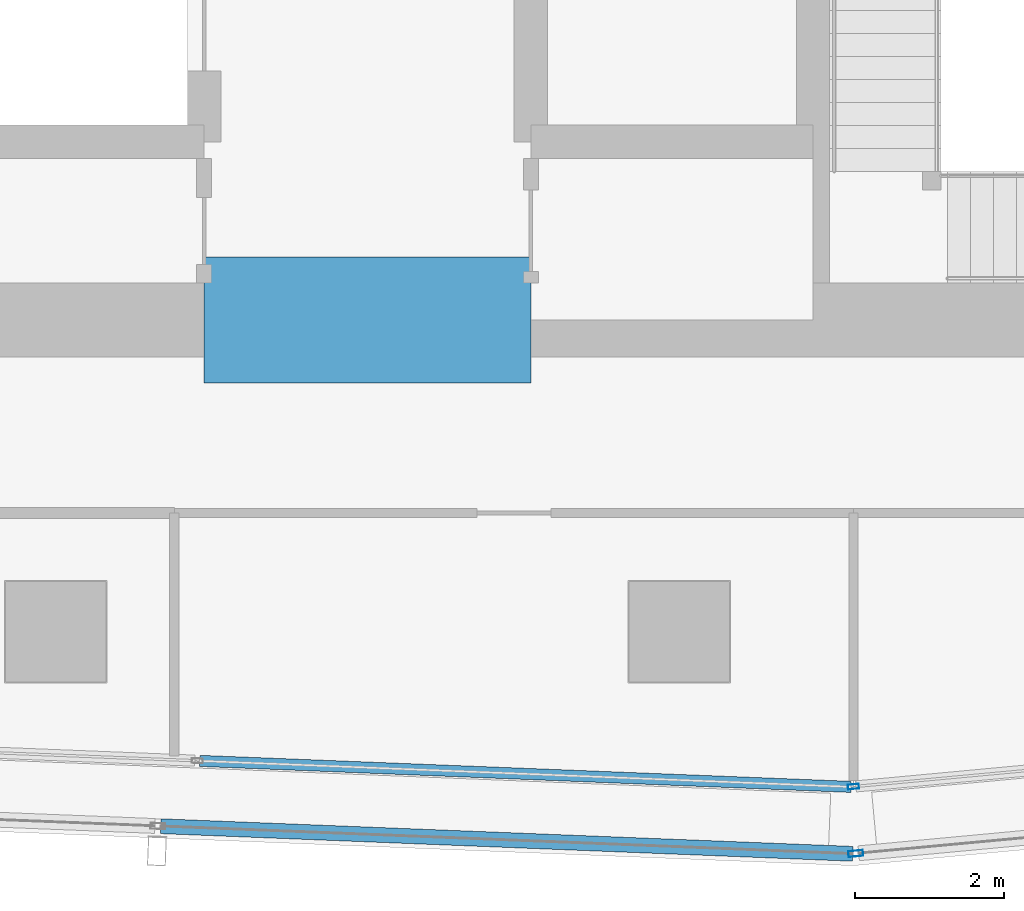
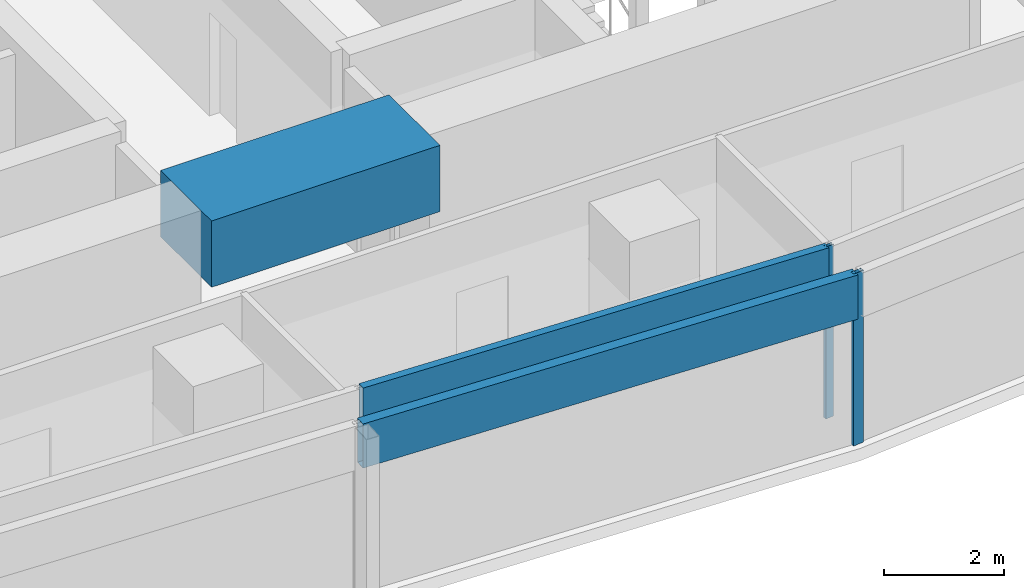
# One storey, part 8 of 35: 4 members, 1 beam, 4 elements without a shape of their own.
"""IFC4 building model written with IfcOpenShell, lengths in metres."""

from ifc_helpers import new_model, si_unit, direction, frame, origin, origin_2d, place, context, subcontext, project, spatial, rectangle, hollow_rectangle, extrude, material, material_profile, profile_set, type_object, element, aggregate, save


model = new_model("IFC4")

# Units and contexts
model_context = context("Model", 3, precision=1e-05, world=origin(), true_north=direction((0.0, 1.0)))
body_context = subcontext(model_context, "Body", "Model", "MODEL_VIEW")
ifc_project = project(units=[si_unit("LENGTHUNIT", "METRE"), si_unit("AREAUNIT", "SQUARE_METRE"), si_unit("VOLUMEUNIT", "CUBIC_METRE"), si_unit("PLANEANGLEUNIT", "RADIAN"), si_unit("MASSUNIT", "GRAM", prefix="KILO")], contexts=[model_context])

# Site, building, storey
site_placement = place(None, origin())
site = spatial("IfcSite", under=ifc_project, at=site_placement, CompositionType="ELEMENT")
building_placement = place(site_placement, origin())
building = spatial("IfcBuilding", under=site, at=building_placement, Name="Rekha Terrace Tower", CompositionType="ELEMENT")
storey_placement = place(building_placement, frame((0.0, 0.0, 191.449951171875)))
storey = spatial("IfcBuildingStorey", under=building, at=storey_placement, Name="L48", CompositionType="ELEMENT", Elevation=191.449951171875)

# Curtain wall, member
ifc_material_1 = material(Name="Aluminium framing", Category="aluminium")
curtain_wall_type_1 = type_object("IfcCurtainWallType", Name="CW1 double skin inner glazing", PredefinedType="USERDEFINED", material=ifc_material_1)
curtain_wall_1_placement = place(storey_placement, origin())
curtain_wall_1 = element("IfcCurtainWall", 1, at=curtain_wall_1_placement, inside=storey, type_object=curtain_wall_type_1, Name="CW1 double skin inner glazing", ObjectType="DOUBLE SKIN INNER GLAZING", PredefinedType="USERDEFINED")
ifc_material_2 = material(Name="Aluminium mullion section", Category="aluminium")
ifc_material_profile_1 = material_profile(ifc_material_2, hollow_rectangle(XDim=0.06494140625, YDim=0.14990234375, WallThickness=0.00390625, at=origin_2d()), Name="AL RHS 65x150")
ifc_profile_set_1 = profile_set([ifc_material_profile_1], Name="Aluminium mullion section")
member_type_1 = type_object("IfcMemberType", Name="CW1 mullion RHS 65 x 150", PredefinedType="MULLION", material=ifc_profile_set_1)
member_1_placement = place(storey_placement, frame((44.34423828125, 14.715087890625, 0.0), z_axis=(0.0, 0.0, 1.0), x_axis=(-0.092708869564, 0.995693258742, 0.0)))
member_1 = element("IfcMember", 2, at=member_1_placement, type_object=member_type_1, Name="CW1 mullion 1", PredefinedType="MULLION", context=body_context, shape_type="SweptSolid", body=[
    extrude(hollow_rectangle(XDim=0.06494140625, YDim=0.14990234375, WallThickness=0.00390625, at=origin_2d()), origin(), (0.0, 0.0, 1.0), 3.5),
])
aggregate(curtain_wall_1, [member_1])

curtain_wall_2_placement = place(storey_placement, origin())
curtain_wall_2 = element("IfcCurtainWall", 3, at=curtain_wall_2_placement, inside=storey, type_object=curtain_wall_type_1, Name="CW1 double skin inner glazing", ObjectType="DOUBLE SKIN INNER GLAZING", PredefinedType="USERDEFINED")
ifc_material_3 = material(Name="Insulated aluminium spandrel box", Category="aluminium")
ifc_material_profile_2 = material_profile(ifc_material_3, hollow_rectangle(XDim=0.14990234375, YDim=0.89990234375, WallThickness=0.0029296875, at=origin_2d()), Name="AL SPANDREL BOX 150x900")
ifc_profile_set_2 = profile_set([ifc_material_profile_2], Name="Insulated aluminium spandrel box")
member_type_2 = type_object("IfcMemberType", Name="CW1 spandrel transom 150 x 900", PredefinedType="USERDEFINED", material=ifc_profile_set_2)
member_2_placement = place(storey_placement, frame((35.5400390625, 15.06201171875, 3.050048828125), z_axis=(0.999204464505, -0.039880297311, 0.0), x_axis=(0.039880297311, 0.999204464505, 0.0)))
member_2 = element("IfcMember", 4, at=member_2_placement, type_object=member_type_2, Name="CW1 spandrel transom 4", ObjectType="TRANSOM", PredefinedType="USERDEFINED", context=body_context, shape_type="SweptSolid", body=[
    extrude(hollow_rectangle(XDim=0.14990234375, YDim=0.89990234375, WallThickness=0.0029296875, at=origin_2d()), origin(), (0.0, 0.0, 1.0), 8.77880859375),
])
aggregate(curtain_wall_2, [member_2])

curtain_wall_type_2 = type_object("IfcCurtainWallType", Name="CW2 double skin outer glazing", PredefinedType="USERDEFINED", material=ifc_material_1)
curtain_wall_3_placement = place(storey_placement, origin())
curtain_wall_3 = element("IfcCurtainWall", 5, at=curtain_wall_3_placement, inside=storey, type_object=curtain_wall_type_2, Name="CW2 double skin outer glazing", ObjectType="DOUBLE SKIN OUTER GLAZING", PredefinedType="USERDEFINED")
ifc_material_profile_3 = material_profile(ifc_material_2, hollow_rectangle(XDim=0.080078125, YDim=0.199951171875, WallThickness=0.00390625, at=origin_2d()), Name="AL RHS 80x200")
ifc_profile_set_3 = profile_set([ifc_material_profile_3], Name="Aluminium mullion section")
member_type_3 = type_object("IfcMemberType", Name="CW2 mullion RHS 80 x 200", PredefinedType="MULLION", material=ifc_profile_set_3)
member_3_placement = place(storey_placement, frame((44.37548828125, 13.81396484375, 0.0), z_axis=(0.0, 0.0, 1.0), x_axis=(-0.092708869512, 0.995693258747, 0.0)))
member_3 = element("IfcMember", 6, at=member_3_placement, type_object=member_type_3, Name="CW2 mullion 1", PredefinedType="MULLION", context=body_context, shape_type="SweptSolid", body=[
    extrude(hollow_rectangle(XDim=0.080078125, YDim=0.199951171875, WallThickness=0.00390625, at=origin_2d()), origin(), (0.0, 0.0, 1.0), 3.5),
])
aggregate(curtain_wall_3, [member_3])

curtain_wall_4_placement = place(storey_placement, origin())
curtain_wall_4 = element("IfcCurtainWall", 7, at=curtain_wall_4_placement, inside=storey, type_object=curtain_wall_type_2, Name="CW2 double skin outer glazing", ObjectType="DOUBLE SKIN OUTER GLAZING", PredefinedType="USERDEFINED")
ifc_material_profile_4 = material_profile(ifc_material_3, hollow_rectangle(XDim=0.199951171875, YDim=0.89990234375, WallThickness=0.0029296875, at=origin_2d()), Name="AL SPANDREL BOX 200x900")
ifc_profile_set_4 = profile_set([ifc_material_profile_4], Name="Insulated aluminium spandrel box")
member_type_4 = type_object("IfcMemberType", Name="CW2 spandrel transom 200 x 900", PredefinedType="USERDEFINED", material=ifc_profile_set_4)
member_4_placement = place(storey_placement, frame((35.01708984375, 14.18212890625, 3.050048828125), z_axis=(0.999204884837, -0.039869764458, 0.0), x_axis=(0.039869764458, 0.999204884837, 0.0)))
member_4 = element("IfcMember", 8, at=member_4_placement, type_object=member_type_4, Name="CW2 spandrel transom 4", ObjectType="TRANSOM", PredefinedType="USERDEFINED", context=body_context, shape_type="SweptSolid", body=[
    extrude(hollow_rectangle(XDim=0.199951171875, YDim=0.89990234375, WallThickness=0.0029296875, at=origin_2d()), origin(), (0.0, 0.0, 1.0), 9.325927734375),
])
aggregate(curtain_wall_4, [member_4])

# Beam
ifc_material_4 = material(Name="Concrete M60", Category="concrete")
ifc_material_profile_5 = material_profile(ifc_material_4, rectangle(XDim=1.699951171875, YDim=1.35009765625, at=origin_2d()), Name="RC 1700x1350")
ifc_profile_set_5 = profile_set([ifc_material_profile_5], Name="Concrete M60")
beam_type = type_object("IfcBeamType", Name="LB3A 1700x1350 diagonally reinforced coupling beam", PredefinedType="LINTEL", material=ifc_profile_set_5)
beam_placement = place(storey_placement, frame((35.60009765625, 21.0, 3.074951171875), z_axis=(1.0, 0.0, 0.0), x_axis=(0.0, 1.0, 0.0)))
element("IfcBeam", 9, at=beam_placement, inside=storey, type_object=beam_type, Name="Coupling beam LB3A S L48", PredefinedType="LINTEL", context=body_context, shape_type="SweptSolid", body=[
    extrude(rectangle(XDim=1.699951171875, YDim=1.35009765625, at=origin_2d()), origin(), (0.0, 0.0, 1.0), 4.39990234375),
])

save(model, "model.ifc")
